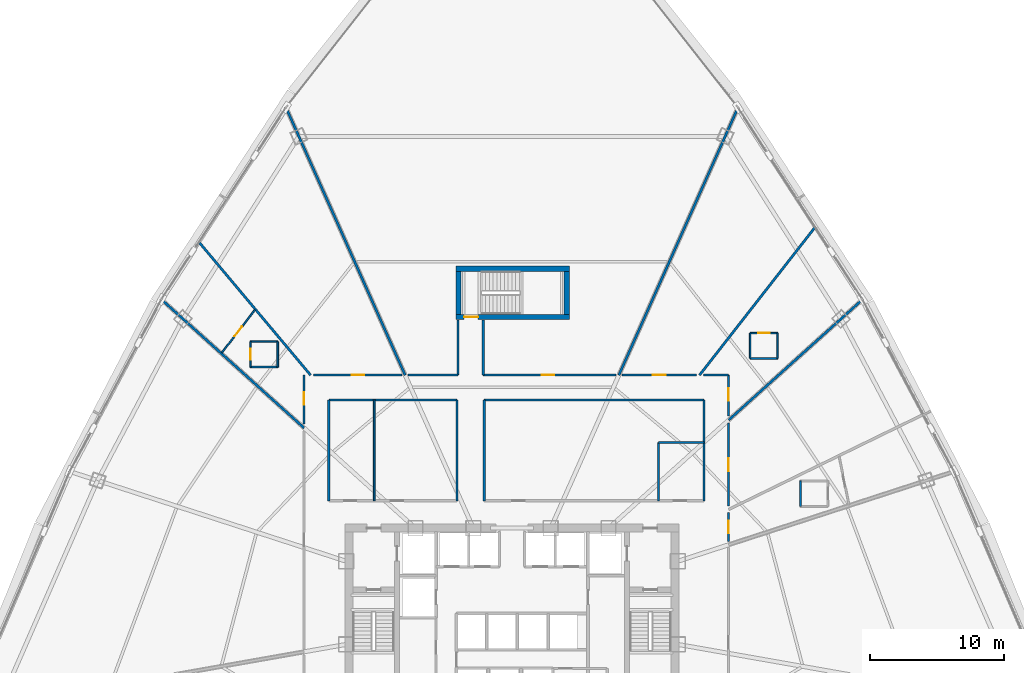
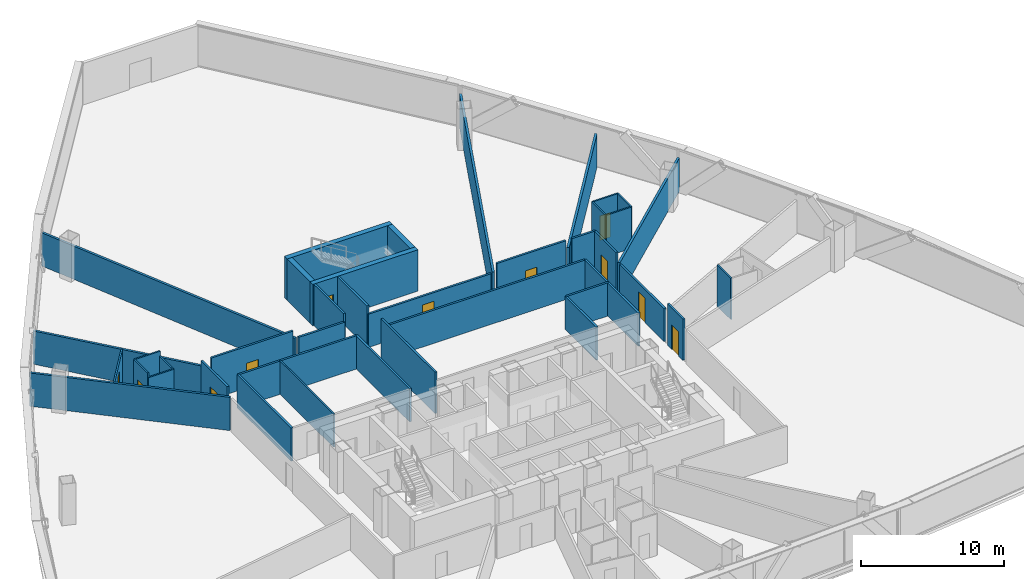
# One storey, part 32 of 38: 40 walls, 11 doors, 11 openings.
"""IFC4 building model written with IfcOpenShell, lengths in metres."""

import ifcopenshell
import ifcopenshell.guid

model = None  # the IFC model being written
_history = None  # IfcOwnerHistory: only IFC2X3 demands one
_inside = {}  # id of a spatial element -> (the spatial element, [elements in it])
_under = {}  # id of a project, library or spatial element -> (it, [spatial elements below it])
_declared = {}  # id of a project -> (the project, [libraries it declares])
_typed = {}  # id of a type object -> (the type object, [elements of that type])
_made_of = {}  # id of a material, layer set ... -> (it, [elements and type objects made of it])


def new_model(schema):
    """Start an empty IFC model of exactly this schema.

    Asked for "IFC4X3", IfcOpenShell would pick the latest addendum, in which some entities
    have other attributes; the version numbers below select the first issue.
    IFC2X3 requires an IfcOwnerHistory on every rooted entity: one is made here for all.
    """
    global model, _history
    if schema == "IFC4X3":
        model = ifcopenshell.file(schema_version=(4, 3, 0, 0))
    else:
        model = ifcopenshell.file(schema=schema)
    _inside.clear()
    _under.clear()
    _declared.clear()
    _typed.clear()
    _made_of.clear()
    _history = None
    if model.schema == "IFC2X3":
        org = make("IfcOrganization", Name="unknown")
        user = make(
            "IfcPersonAndOrganization",
            ThePerson=make("IfcPerson", FamilyName="unknown"),
            TheOrganization=org,
        )
        app = make(
            "IfcApplication",
            ApplicationDeveloper=org,
            Version="unknown",
            ApplicationFullName="unknown",
            ApplicationIdentifier="unknown",
        )
        _history = make(
            "IfcOwnerHistory",
            OwningUser=user,
            OwningApplication=app,
            ChangeAction="ADDED",
            CreationDate=0,
        )
    return model


def make(cls, **values):
    """One entity of the class cls with the attributes given. An attribute that is None is left unset."""
    return model.create_entity(
        cls, **{name: value for name, value in values.items() if value is not None}
    )


def rooted(cls, **values):
    """An entity with a GlobalId (a new one), such as an element, a storey or a relation."""
    return make(cls, GlobalId=ifcopenshell.guid.new(), OwnerHistory=_history, **values)


def si_unit(unit_type, name, prefix=None):
    """IfcSIUnit, for example si_unit("LENGTHUNIT", "METRE", prefix="MILLI")."""
    return make("IfcSIUnit", UnitType=unit_type, Prefix=prefix, Name=name)


def assignment(units):
    """IfcUnitAssignment: the units of a project."""
    return None if units is None else make("IfcUnitAssignment", Units=units)


def point(xyz):
    """IfcCartesianPoint."""
    return None if xyz is None else make("IfcCartesianPoint", Coordinates=xyz)


def direction(xyz):
    """IfcDirection."""
    return None if xyz is None else make("IfcDirection", DirectionRatios=xyz)


def frame(location, z_axis=None, x_axis=None):
    """IfcAxis2Placement3D, a coordinate frame: its origin and axes. An axis left out is left unset."""
    return make(
        "IfcAxis2Placement3D",
        Location=point(location),
        Axis=direction(z_axis),
        RefDirection=direction(x_axis),
    )


def frame_2d(location, x_axis=None):
    """IfcAxis2Placement2D, a coordinate frame in the plane: its origin and x axis."""
    return make(
        "IfcAxis2Placement2D", Location=point(location), RefDirection=direction(x_axis)
    )


def origin():
    """The frame at (0, 0, 0) with its axes left unset."""
    return frame((0.0, 0.0, 0.0))


def origin_with_axes():
    """The frame at (0, 0, 0) with the z axis (0, 0, 1) and the x axis (1, 0, 0) written out."""
    return frame((0.0, 0.0, 0.0), z_axis=(0.0, 0.0, 1.0), x_axis=(1.0, 0.0, 0.0))


def place(relative_to, where):
    """IfcLocalPlacement: puts the frame where relative to a parent placement (None: the world)."""
    return make(
        "IfcLocalPlacement", PlacementRelTo=relative_to, RelativePlacement=where
    )


def context(
    kind, dimensions, precision=None, world=None, true_north=None, identifier=None
):
    """IfcGeometricRepresentationContext, for example the 3D "Model" context."""
    return make(
        "IfcGeometricRepresentationContext",
        ContextIdentifier=identifier,
        ContextType=kind,
        CoordinateSpaceDimension=dimensions,
        Precision=precision,
        WorldCoordinateSystem=world,
        TrueNorth=true_north,
    )


def subcontext(parent, identifier, kind, view, scale=None):
    """IfcGeometricRepresentationSubContext, for example "Body" below "Model"."""
    return make(
        "IfcGeometricRepresentationSubContext",
        ContextIdentifier=identifier,
        ContextType=kind,
        ParentContext=parent,
        TargetScale=scale,
        TargetView=view,
    )


def project(units=None, contexts=None):
    """IfcProject with its units and contexts."""
    return rooted(
        "IfcProject",
        Name="project",
        RepresentationContexts=contexts,
        UnitsInContext=assignment(units),
    )


def spatial(cls, under=None, at=None, **own):
    """A site, building, storey or space (cls), placed at a placement, below another one or the project."""
    s = rooted(cls, ObjectPlacement=at, **own)
    if under is not None:
        _under.setdefault(under.id(), (under, []))[1].append(s)
    return s


def profile(cls, at=None, kind="AREA", **sizes):
    """A parametric profile (cls). Its sizes go by their IFC names, for example OverallWidth=200.0."""
    return make(cls, ProfileType=kind, Position=at, **sizes)


def rectangle(**sizes):
    """IfcRectangleProfileDef."""
    return profile("IfcRectangleProfileDef", **sizes)


def extrude(swept, where, along, depth):
    """IfcExtrudedAreaSolid: the profile swept, set in the frame where, extruded along a direction by depth."""
    return make(
        "IfcExtrudedAreaSolid",
        SweptArea=swept,
        Position=where,
        ExtrudedDirection=direction(along),
        Depth=depth,
    )


def shape(context_of_items, identifier, shape_type, items):
    """IfcShapeRepresentation: the items that make up one representation, for example the "Body"."""
    return make(
        "IfcShapeRepresentation",
        ContextOfItems=context_of_items,
        RepresentationIdentifier=identifier,
        RepresentationType=shape_type,
        Items=items,
    )


def source(mapping_origin, context_of_items, identifier, shape_type, items):
    """IfcRepresentationMap: a shape defined once, which mapped items show again and again."""
    return make(
        "IfcRepresentationMap",
        MappingOrigin=mapping_origin,
        MappedRepresentation=shape(context_of_items, identifier, shape_type, items),
    )


def transform(
    local_origin,
    x_axis=None,
    y_axis=None,
    z_axis=None,
    scale=None,
    scale2=None,
    scale3=None,
    uniform=True,
):
    """IfcCartesianTransformationOperator3D, or its non-uniform kind. x_axis, y_axis, z_axis: its Axis1, 2, 3."""
    if uniform:
        return make(
            "IfcCartesianTransformationOperator3D",
            Axis1=direction(x_axis),
            Axis2=direction(y_axis),
            LocalOrigin=point(local_origin),
            Scale=scale,
            Axis3=direction(z_axis),
        )
    return make(
        "IfcCartesianTransformationOperator3DnonUniform",
        Axis1=direction(x_axis),
        Axis2=direction(y_axis),
        LocalOrigin=point(local_origin),
        Scale=scale,
        Axis3=direction(z_axis),
        Scale2=scale2,
        Scale3=scale3,
    )


def mapped(mapping_source, mapping_target):
    """IfcMappedItem: shows the shape of a source again, moved by a transform."""
    return make(
        "IfcMappedItem", MappingSource=mapping_source, MappingTarget=mapping_target
    )


def material(Name=None, Category=None):
    """IfcMaterial."""
    return make("IfcMaterial", Name=Name, Category=Category)


def layer(
    of_material, thickness, ventilated=None, Name=None, Category=None, Priority=None
):
    """IfcMaterialLayer: one layer of a wall or slab, of a material (None: an air gap)."""
    return make(
        "IfcMaterialLayer",
        Material=of_material,
        LayerThickness=thickness,
        IsVentilated=ventilated,
        Name=Name,
        Category=Category,
        Priority=Priority,
    )


def layer_set(layers, Name=None):
    """IfcMaterialLayerSet."""
    return make("IfcMaterialLayerSet", MaterialLayers=layers, LayerSetName=Name)


def made_of(thing, what):
    """Note that an element or type object is made of a material, layer set ...; save() writes the relation."""
    if what is not None:
        _made_of.setdefault(what.id(), (what, []))[1].append(thing)
    return thing


def type_object(cls, material=None, **own):
    """A type object (cls), such as IfcWallType, which elements share."""
    return made_of(rooted(cls, **own), material)


def element(
    cls,
    number,
    at=None,
    inside=None,
    cuts=None,
    type_object=None,
    material=None,
    context=None,
    identifier="Body",
    shape_type=None,
    held_by="IfcProductDefinitionShape",
    body=None,
    shapes=None,
    **own,
):
    """One element of the class cls, such as IfcWall. Its Tag is "e" and its number.

    at: its placement. inside: the storey or other place that contains it. cuts: it is an
    opening in that element (IfcRelVoidsElement). A single representation is given by context,
    identifier, shape_type and body (its items); several are given by shapes. held_by: the class
    of the entity that holds the representations. save() writes the other relations.
    """
    e = rooted(cls, Tag="e%d" % number, ObjectPlacement=at, **own)
    if body is not None:
        shapes = [shape(context, identifier, shape_type, body)]
    if shapes is not None:
        e.Representation = make(held_by, Representations=shapes)
    if inside is not None:
        _inside.setdefault(inside.id(), (inside, []))[1].append(e)
    if cuts is not None:
        rooted(
            "IfcRelVoidsElement", RelatingBuildingElement=cuts, RelatedOpeningElement=e
        )
    if type_object is not None:
        _typed.setdefault(type_object.id(), (type_object, []))[1].append(e)
    return made_of(e, material)


def fill(opening, filler):
    """IfcRelFillsElement: the door or window that sits in an opening."""
    return rooted(
        "IfcRelFillsElement",
        RelatingOpeningElement=opening,
        RelatedBuildingElement=filler,
    )


def aggregate(whole, parts):
    """IfcRelAggregates: a whole, such as a stair, and the parts it consists of."""
    return rooted("IfcRelAggregates", RelatingObject=whole, RelatedObjects=parts)


def save(model, path):
    """Write the relations noted so far, then the file.

    IfcRelAggregates (storeys below a building ...), IfcRelContainedInSpatialStructure (elements
    in a storey), IfcRelDefinesByType, IfcRelAssociatesMaterial and IfcRelDeclares: one each for
    every whole, place, type object, material and project.
    """
    for whole, parts in _under.values():
        aggregate(whole, parts)
    for where, things in _inside.values():
        rooted(
            "IfcRelContainedInSpatialStructure",
            RelatedElements=things,
            RelatingStructure=where,
        )
    for kind, things in _typed.values():
        rooted("IfcRelDefinesByType", RelatedObjects=things, RelatingType=kind)
    for what, things in _made_of.values():
        rooted("IfcRelAssociatesMaterial", RelatedObjects=things, RelatingMaterial=what)
    for by, libraries in _declared.values():
        rooted("IfcRelDeclares", RelatingContext=by, RelatedDefinitions=libraries)
    model.write(path)


model = new_model("IFC4")

# Units and contexts
model_context = context("Model", 3, precision=1e-05, world=origin(), true_north=direction((0.0, 1.0)))
body_context = subcontext(model_context, "Body", "Model", "MODEL_VIEW")
ifc_project = project(units=[si_unit("LENGTHUNIT", "METRE"), si_unit("AREAUNIT", "SQUARE_METRE"), si_unit("VOLUMEUNIT", "CUBIC_METRE"), si_unit("PLANEANGLEUNIT", "RADIAN"), si_unit("MASSUNIT", "GRAM", prefix="KILO"), si_unit("THERMODYNAMICTEMPERATUREUNIT", "KELVIN"), si_unit("POWERUNIT", "WATT")], contexts=[model_context])

# Site, building, storey
site_placement = place(None, origin())
site = spatial("IfcSite", under=ifc_project, at=site_placement, CompositionType="ELEMENT")
building_placement = place(site_placement, origin())
building = spatial("IfcBuilding", under=site, at=building_placement, Name="Yunzhuo Pagoda Commons", CompositionType="ELEMENT")
storey_placement = place(building_placement, frame((0.0, 0.0, 81.179931640625)))
storey = spatial("IfcBuildingStorey", under=building, at=storey_placement, Name="L20", CompositionType="ELEMENT", Elevation=81.179931640625)

# Walls
ifc_material_1 = material(Name="Gypsum plasterboard on acoustic stud")
ifc_layer_1 = layer(ifc_material_1, 0.159912109375)
ifc_layer_set_1 = layer_set([ifc_layer_1], Name="Gypsum plasterboard on acoustic stud")
wall_type_1 = type_object("IfcWallType", Name="W-COR1 Tower Rated Corridor Wall 160", PredefinedType="PARTITIONING", material=ifc_layer_set_1)
wall_1_placement = place(storey_placement, frame((34.300048828125, 49.800048828125, 0.0), z_axis=(0.0, 0.0, 1.0), x_axis=(1.0, 0.0, 0.0)))
element("IfcWall", 1, at=wall_1_placement, inside=storey, type_object=wall_type_1, Name="L20 interior wall IW-L20-ISLWN", PredefinedType="PARTITIONING", context=body_context, shape_type="SweptSolid", body=[
    extrude(rectangle(XDim=9.579833984375, YDim=0.159912109375, at=frame_2d((4.7900390625, 0.0))), origin(), (0.0, 0.0, 1.0), 2.840087890625),
])
for number, where, z_axis, x_axis, name in (
    (2, (34.300048828125, 42.25, 0.0), (0.0, 0.0, 1.0), (0.0, 1.0, 0.0), "L20 interior wall IW-L20-ISLWW"),
    (3, (43.8798828125, 42.25, 0.0), (0.0, 0.0, 1.0), (0.0, 1.0, 0.0), "L20 interior wall IW-L20-ISLWE"),
):
    element("IfcWall", number, at=place(storey_placement, frame(where, z_axis=z_axis, x_axis=x_axis)), inside=storey, type_object=wall_type_1, Name=name, PredefinedType="PARTITIONING", context=body_context, shape_type="SweptSolid", body=[
        extrude(rectangle(XDim=7.550048828125, YDim=0.159912109375, at=frame_2d((3.77490234375, 0.0))), origin(), (0.0, 0.0, 1.0), 2.840087890625),
    ])
wall_2_placement = place(storey_placement, frame((45.919921875, 49.800048828125, 0.0), z_axis=(0.0, 0.0, 1.0), x_axis=(1.0, 0.0, 0.0)))
element("IfcWall", 4, at=wall_2_placement, inside=storey, type_object=wall_type_1, Name="L20 interior wall IW-L20-ISLEN", PredefinedType="PARTITIONING", context=body_context, shape_type="SweptSolid", body=[
    extrude(rectangle(XDim=16.43017578125, YDim=0.159912109375, at=frame_2d((8.215087890625, 0.0))), origin(), (0.0, 0.0, 1.0), 2.840087890625),
])
wall_3_placement = place(storey_placement, frame((45.919921875, 42.25, 0.0), z_axis=(0.0, 0.0, 1.0), x_axis=(0.0, 1.0, 0.0)))
element("IfcWall", 5, at=wall_3_placement, inside=storey, type_object=wall_type_1, Name="L20 interior wall IW-L20-ISLEW", PredefinedType="PARTITIONING", context=body_context, shape_type="SweptSolid", body=[
    extrude(rectangle(XDim=7.550048828125, YDim=0.159912109375, at=frame_2d((3.77490234375, 0.0))), origin(), (0.0, 0.0, 1.0), 3.5400390625),
])
wall_4_placement = place(storey_placement, frame((62.35009765625, 42.25, 0.0), z_axis=(0.0, 0.0, 1.0), x_axis=(0.0, 1.0, 0.0)))
element("IfcWall", 6, at=wall_4_placement, inside=storey, type_object=wall_type_1, Name="L20 interior wall IW-L20-ISLEE", PredefinedType="PARTITIONING", context=body_context, shape_type="SweptSolid", body=[
    extrude(rectangle(XDim=7.550048828125, YDim=0.159912109375, at=frame_2d((3.77490234375, 0.0))), origin(), (0.0, 0.0, 1.0), 2.840087890625),
])
wall_5_placement = place(storey_placement, frame((58.949951171875, 42.25, 0.0), z_axis=(0.0, 0.0, 1.0), x_axis=(0.0, 1.0, 0.0)))
element("IfcWall", 7, at=wall_5_placement, inside=storey, type_object=wall_type_1, Name="L20 interior wall IW-L20-ISL2W", PredefinedType="PARTITIONING", context=body_context, shape_type="SweptSolid", body=[
    extrude(rectangle(XDim=4.35009765625, YDim=0.159912109375, at=frame_2d((2.175048828125, 0.0))), origin(), (0.0, 0.0, 1.0), 2.840087890625),
])
wall_6_placement = place(storey_placement, frame((58.949951171875, 46.60009765625, 0.0), z_axis=(0.0, 0.0, 1.0), x_axis=(1.0, 0.0, 0.0)))
element("IfcWall", 8, at=wall_6_placement, inside=storey, type_object=wall_type_1, Name="L20 interior wall IW-L20-ISL2N", PredefinedType="PARTITIONING", context=body_context, shape_type="SweptSolid", body=[
    extrude(rectangle(XDim=3.400146484375, YDim=0.159912109375, at=frame_2d((1.7001953125, 0.0))), origin(), (0.0, 0.0, 1.0), 2.840087890625),
])

# Wall, opening, door
wall_7_placement = place(storey_placement, frame((32.449951171875, 47.997314453125, 0.0), z_axis=(0.0, 0.0, 1.0), x_axis=(0.0, 1.0, 0.0)))
wall_7 = element("IfcWall", 9, at=wall_7_placement, inside=storey, type_object=wall_type_1, Name="L20 interior wall IW-L20-CWL03", PredefinedType="PARTITIONING", context=body_context, shape_type="SweptSolid", body=[
    extrude(rectangle(XDim=3.652587890625, YDim=0.159912109375, at=frame_2d((1.826171875, 0.0))), origin(), (0.0, 0.0, 1.0), 3.5400390625),
])
opening_1_placement = place(wall_7_placement, frame((1.433349609375, 0.0, 0.0)))
opening_1 = element("IfcOpeningElement", 10, at=opening_1_placement, cuts=wall_7, Name="Opening D-06", PredefinedType="OPENING", context=body_context, shape_type="SweptSolid", body=[
    extrude(rectangle(XDim=0.949951171875, YDim=2.10009765625, at=frame_2d((0.47509765625, 1.050048828125))), frame((0.0, 0.08984375, 0.0), z_axis=(0.0, -1.0, 0.0), x_axis=(1.0, 0.0, 0.0)), (0.0, 0.0, 1.0), 0.179931640625),
])
ifc_material_2 = material(Name="Galvanized fire-resisting metal leaf")
door_type_1 = type_object("IfcDoorType", Name="D-06 Co-Living Suite Entrance Fire Door 950x2100", OperationType="NOTDEFINED", PredefinedType="DOOR", material=ifc_material_2)
shared_shape_1 = source(origin(), body_context, "Body", "SweptSolid", [
    extrude(rectangle(XDim=0.949951171875, YDim=2.10009765625, at=frame_2d((0.47509765625, 1.050048828125))), frame((0.0, 0.02490234375, 0.0), z_axis=(0.0, -1.0, 0.0), x_axis=(1.0, 0.0, 0.0)), (0.0, 0.0, 1.0), 0.050048828125),
])
door_1_placement = place(opening_1_placement, origin_with_axes())
door_1 = element("IfcDoor", 11, at=door_1_placement, inside=storey, type_object=door_type_1, Name="L20 unit 07 entrance door", OperationType="SINGLE_SWING_LEFT", OverallHeight=2.10009765625, OverallWidth=0.949951171875, PredefinedType="DOOR", context=body_context, shape_type="MappedRepresentation", body=[
    mapped(shared_shape_1, transform((0.0, 0.0, 0.0), scale=1.0)),
])
fill(opening_1, door_1)

wall_8_placement = place(storey_placement, frame((33.158203125, 51.64990234375, 0.0), z_axis=(0.0, 0.0, 1.0), x_axis=(1.0, 0.0, 0.0)))
wall_8 = element("IfcWall", 12, at=wall_8_placement, inside=storey, type_object=wall_type_1, Name="L20 interior wall IW-L20-CWL04", PredefinedType="PARTITIONING", context=body_context, shape_type="SweptSolid", body=[
    extrude(rectangle(XDim=6.609130859375, YDim=0.159912109375, at=frame_2d((3.3046875, 0.0))), origin(), (0.0, 0.0, 1.0), 3.5400390625),
])
opening_2_placement = place(wall_8_placement, frame((2.840087890625, 0.0, 0.0)))
opening_2 = element("IfcOpeningElement", 13, at=opening_2_placement, cuts=wall_8, Name="Opening D-06", PredefinedType="OPENING", context=body_context, shape_type="SweptSolid", body=[
    extrude(rectangle(XDim=0.949951171875, YDim=2.10009765625, at=frame_2d((0.47509765625, 1.050048828125))), frame((0.0, 0.08984375, 0.0), z_axis=(0.0, -1.0, 0.0), x_axis=(1.0, 0.0, 0.0)), (0.0, 0.0, 1.0), 0.179931640625),
])
door_2_placement = place(opening_2_placement, origin_with_axes())
door_2 = element("IfcDoor", 14, at=door_2_placement, inside=storey, type_object=door_type_1, Name="L20 unit 06 entrance door", OperationType="SINGLE_SWING_RIGHT", OverallHeight=2.10009765625, OverallWidth=0.949951171875, PredefinedType="DOOR", context=body_context, shape_type="MappedRepresentation", body=[
    mapped(shared_shape_1, transform((0.0, 0.0, 0.0), scale=1.0)),
])
fill(opening_2, door_2)

# Walls
wall_9_placement = place(storey_placement, frame((40.227783203125, 51.64990234375, 0.0), z_axis=(0.0, 0.0, 1.0), x_axis=(1.0, 0.0, 0.0)))
element("IfcWall", 15, at=wall_9_placement, inside=storey, type_object=wall_type_1, Name="L20 interior wall IW-L20-CWL05", PredefinedType="PARTITIONING", context=body_context, shape_type="SweptSolid", body=[
    extrude(rectangle(XDim=3.72216796875, YDim=0.159912109375, at=frame_2d((1.861083984375, 0.0))), origin(), (0.0, 0.0, 1.0), 2.840087890625),
])
for number, where, z_axis, x_axis, name in (
    (16, (43.949951171875, 51.64990234375, 0.0), (0.0, 0.0, 1.0), (0.0, 1.0, 0.0), "L20 interior wall IW-L20-CWL06"),
    (17, (45.85009765625, 55.780029296875, 0.0), (0.0, 0.0, 1.0), (0.0, -1.0, 0.0), "L20 interior wall IW-L20-CWL07"),
):
    element("IfcWall", number, at=place(storey_placement, frame(where, z_axis=z_axis, x_axis=x_axis)), inside=storey, type_object=wall_type_1, Name=name, PredefinedType="PARTITIONING", context=body_context, shape_type="SweptSolid", body=[
        extrude(rectangle(XDim=4.130126953125, YDim=0.159912109375, at=frame_2d((2.06494140625, 0.0))), origin(), (0.0, 0.0, 1.0), 3.5400390625),
    ])

# Wall, opening, door
wall_10_placement = place(storey_placement, frame((45.85009765625, 51.64990234375, 0.0), z_axis=(0.0, 0.0, 1.0), x_axis=(1.0, 0.0, 0.0)))
wall_10 = element("IfcWall", 18, at=wall_10_placement, inside=storey, type_object=wall_type_1, Name="L20 interior wall IW-L20-CWL08", PredefinedType="PARTITIONING", context=body_context, shape_type="SweptSolid", body=[
    extrude(rectangle(XDim=9.922119140625, YDim=0.159912109375, at=frame_2d((4.9609375, 0.0))), origin(), (0.0, 0.0, 1.0), 2.840087890625),
])
opening_3_placement = place(wall_10_placement, frame((4.365966796875, 0.0, 0.0)))
opening_3 = element("IfcOpeningElement", 19, at=opening_3_placement, cuts=wall_10, Name="Opening D-06", PredefinedType="OPENING", context=body_context, shape_type="SweptSolid", body=[
    extrude(rectangle(XDim=0.949951171875, YDim=2.10009765625, at=frame_2d((0.47509765625, 1.050048828125))), frame((0.0, 0.08984375, 0.0), z_axis=(0.0, -1.0, 0.0), x_axis=(1.0, 0.0, 0.0)), (0.0, 0.0, 1.0), 0.179931640625),
])
door_3_placement = place(opening_3_placement, origin_with_axes())
door_3 = element("IfcDoor", 20, at=door_3_placement, inside=storey, type_object=door_type_1, Name="L20 unit 05 entrance door", OperationType="SINGLE_SWING_LEFT", OverallHeight=2.10009765625, OverallWidth=0.949951171875, PredefinedType="DOOR", context=body_context, shape_type="MappedRepresentation", body=[
    mapped(shared_shape_1, transform((0.0, 0.0, 0.0), scale=1.0)),
])
fill(opening_3, door_3)

wall_11_placement = place(storey_placement, frame((56.232666015625, 51.64990234375, 0.0), z_axis=(0.0, 0.0, 1.0), x_axis=(1.0, 0.0, 0.0)))
wall_11 = element("IfcWall", 21, at=wall_11_placement, inside=storey, type_object=wall_type_1, Name="L20 interior wall IW-L20-CWL09", PredefinedType="PARTITIONING", context=body_context, shape_type="SweptSolid", body=[
    extrude(rectangle(XDim=5.571533203125, YDim=0.159912109375, at=frame_2d((2.78564453125, 0.0))), origin(), (0.0, 0.0, 1.0), 3.5400390625),
])
opening_4_placement = place(wall_11_placement, frame((2.30029296875, 0.0, 0.0)))
opening_4 = element("IfcOpeningElement", 22, at=opening_4_placement, cuts=wall_11, Name="Opening D-06", PredefinedType="OPENING", context=body_context, shape_type="SweptSolid", body=[
    extrude(rectangle(XDim=0.949951171875, YDim=2.10009765625, at=frame_2d((0.47509765625, 1.050048828125))), frame((0.0, 0.08984375, 0.0), z_axis=(0.0, -1.0, 0.0), x_axis=(1.0, 0.0, 0.0)), (0.0, 0.0, 1.0), 0.179931640625),
])
door_4_placement = place(opening_4_placement, origin_with_axes())
door_4 = element("IfcDoor", 23, at=door_4_placement, inside=storey, type_object=door_type_1, Name="L20 unit 04 entrance door", OperationType="SINGLE_SWING_RIGHT", OverallHeight=2.10009765625, OverallWidth=0.949951171875, PredefinedType="DOOR", context=body_context, shape_type="MappedRepresentation", body=[
    mapped(shared_shape_1, transform((0.0, 0.0, 0.0), scale=1.0)),
])
fill(opening_4, door_4)

# Wall
wall_12_placement = place(storey_placement, frame((62.30322265625, 51.64990234375, 0.0), z_axis=(0.0, 0.0, 1.0), x_axis=(1.0, 0.0, 0.0)))
element("IfcWall", 24, at=wall_12_placement, inside=storey, type_object=wall_type_1, Name="L20 interior wall IW-L20-CWL10", PredefinedType="PARTITIONING", context=body_context, shape_type="SweptSolid", body=[
    extrude(rectangle(XDim=1.896728515625, YDim=0.159912109375, at=frame_2d((0.9482421875, 0.0))), origin(), (0.0, 0.0, 1.0), 3.5400390625),
])

# Wall, opening, door
wall_13_placement = place(storey_placement, frame((64.199951171875, 51.64990234375, 0.0), z_axis=(0.0, 0.0, 1.0), x_axis=(0.0, -1.0, 0.0)))
wall_13 = element("IfcWall", 25, at=wall_13_placement, inside=storey, type_object=wall_type_1, Name="L20 interior wall IW-L20-CWL11", PredefinedType="PARTITIONING", context=body_context, shape_type="SweptSolid", body=[
    extrude(rectangle(XDim=3.0673828125, YDim=0.159912109375, at=frame_2d((1.53369140625, 0.0))), origin(), (0.0, 0.0, 1.0), 3.5400390625),
])
opening_5_placement = place(wall_13_placement, frame((0.976806640625, 0.0, 0.0)))
opening_5 = element("IfcOpeningElement", 26, at=opening_5_placement, cuts=wall_13, Name="Opening D-06", PredefinedType="OPENING", context=body_context, shape_type="SweptSolid", body=[
    extrude(rectangle(XDim=0.949951171875, YDim=2.10009765625, at=frame_2d((0.47509765625, 1.050048828125))), frame((0.0, 0.08984375, 0.0), z_axis=(0.0, -1.0, 0.0), x_axis=(1.0, 0.0, 0.0)), (0.0, 0.0, 1.0), 0.179931640625),
])
door_5_placement = place(opening_5_placement, origin_with_axes())
door_5 = element("IfcDoor", 27, at=door_5_placement, inside=storey, type_object=door_type_1, Name="L20 unit 03 entrance door", OperationType="SINGLE_SWING_LEFT", OverallHeight=2.10009765625, OverallWidth=0.949951171875, PredefinedType="DOOR", context=body_context, shape_type="MappedRepresentation", body=[
    mapped(shared_shape_1, transform((0.0, 0.0, 0.0), scale=1.0)),
])
fill(opening_5, door_5)

wall_14_placement = place(storey_placement, frame((64.199951171875, 48.06689453125, 0.0), z_axis=(0.0, 0.0, 1.0), x_axis=(0.0, -1.0, 0.0)))
wall_14 = element("IfcWall", 28, at=wall_14_placement, inside=storey, type_object=wall_type_1, Name="L20 interior wall IW-L20-CWL12", PredefinedType="PARTITIONING", context=body_context, shape_type="SweptSolid", body=[
    extrude(rectangle(XDim=6.220703125, YDim=0.159912109375, at=frame_2d((3.1103515625, 0.0))), origin(), (0.0, 0.0, 1.0), 2.840087890625),
])
opening_6_placement = place(wall_14_placement, frame((2.64794921875, 0.0, 0.0)))
opening_6 = element("IfcOpeningElement", 29, at=opening_6_placement, cuts=wall_14, Name="Opening D-06", PredefinedType="OPENING", context=body_context, shape_type="SweptSolid", body=[
    extrude(rectangle(XDim=0.949951171875, YDim=2.10009765625, at=frame_2d((0.47509765625, 1.050048828125))), frame((0.0, 0.08984375, 0.0), z_axis=(0.0, -1.0, 0.0), x_axis=(1.0, 0.0, 0.0)), (0.0, 0.0, 1.0), 0.179931640625),
])
door_6_placement = place(opening_6_placement, origin_with_axes())
door_6 = element("IfcDoor", 30, at=door_6_placement, inside=storey, type_object=door_type_1, Name="L20 unit 02 entrance door", OperationType="SINGLE_SWING_RIGHT", OverallHeight=2.10009765625, OverallWidth=0.949951171875, PredefinedType="DOOR", context=body_context, shape_type="MappedRepresentation", body=[
    mapped(shared_shape_1, transform((0.0, 0.0, 0.0), scale=1.0)),
])
fill(opening_6, door_6)

wall_15_placement = place(storey_placement, frame((64.199951171875, 41.381591796875, 0.0), z_axis=(0.0, 0.0, 1.0), x_axis=(0.0, -1.0, 0.0)))
wall_15 = element("IfcWall", 31, at=wall_15_placement, inside=storey, type_object=wall_type_1, Name="L20 interior wall IW-L20-CWL13", PredefinedType="PARTITIONING", context=body_context, shape_type="SweptSolid", body=[
    extrude(rectangle(XDim=2.1865234375, YDim=0.159912109375, at=frame_2d((1.09326171875, 0.0))), origin(), (0.0, 0.0, 1.0), 3.5400390625),
])
opening_7_placement = place(wall_15_placement, frame((0.6240234375, 0.0, 0.0)))
opening_7 = element("IfcOpeningElement", 32, at=opening_7_placement, cuts=wall_15, Name="Opening D-06", PredefinedType="OPENING", context=body_context, shape_type="SweptSolid", body=[
    extrude(rectangle(XDim=0.949951171875, YDim=2.10009765625, at=frame_2d((0.47509765625, 1.050048828125))), frame((0.0, 0.08984375, 0.0), z_axis=(0.0, -1.0, 0.0), x_axis=(1.0, 0.0, 0.0)), (0.0, 0.0, 1.0), 0.179931640625),
])
door_7_placement = place(opening_7_placement, origin_with_axes())
door_7 = element("IfcDoor", 33, at=door_7_placement, inside=storey, type_object=door_type_1, Name="L20 unit 01 entrance door", OperationType="SINGLE_SWING_LEFT", OverallHeight=2.10009765625, OverallWidth=0.949951171875, PredefinedType="DOOR", context=body_context, shape_type="MappedRepresentation", body=[
    mapped(shared_shape_1, transform((0.0, 0.0, 0.0), scale=1.0)),
])
fill(opening_7, door_7)

# Walls
ifc_layer_2 = layer(ifc_material_1, 0.1201171875)
ifc_layer_set_2 = layer_set([ifc_layer_2], Name="Gypsum plasterboard on acoustic stud")
wall_type_2 = type_object("IfcWallType", Name="W-PRT1 Suite & Bathroom Partition 120", PredefinedType="PARTITIONING", material=ifc_layer_set_2)
wall_16_placement = place(storey_placement, frame((37.699951171875, 42.25, 0.0), z_axis=(0.0, 0.0, 1.0), x_axis=(0.0, 1.0, 0.0)))
element("IfcWall", 34, at=wall_16_placement, inside=storey, type_object=wall_type_2, Name="L20 interior wall IW-L20-ISLW1", PredefinedType="PARTITIONING", context=body_context, shape_type="SweptSolid", body=[
    extrude(rectangle(XDim=7.550048828125, YDim=0.1201171875, at=frame_2d((3.77490234375, 0.0))), origin(), (0.0, 0.0, 1.0), 2.840087890625),
])
wall_17_placement = place(storey_placement, frame((69.571044921875, 43.73388671875, 0.0), z_axis=(0.0, 0.0, 1.0), x_axis=(0.0, -1.0, 0.0)))
element("IfcWall", 35, at=wall_17_placement, inside=storey, type_object=wall_type_2, Name="L20 interior wall IW-L20-B01W", PredefinedType="PARTITIONING", context=body_context, shape_type="SweptSolid", body=[
    extrude(rectangle(XDim=1.89990234375, YDim=0.1201171875, at=frame_2d((0.949951171875, 0.0))), origin(), (0.0, 0.0, 1.0), 3.5400390625),
])
wall_18_placement = place(storey_placement, frame((65.80908203125, 52.89208984375, 0.0), z_axis=(0.0, 0.0, 1.0), x_axis=(1.0, 0.0, 0.0)))
element("IfcWall", 36, at=wall_18_placement, inside=storey, type_object=wall_type_2, Name="L20 interior wall IW-L20-B03S", PredefinedType="PARTITIONING", context=body_context, shape_type="SweptSolid", body=[
    extrude(rectangle(XDim=2.0498046875, YDim=0.1201171875, at=frame_2d((1.02490234375, 0.0))), origin(), (0.0, 0.0, 1.0), 3.5400390625),
])
wall_19_placement = place(storey_placement, frame((67.85888671875, 52.89208984375, 0.0), z_axis=(0.0, 0.0, 1.0), x_axis=(0.0, 1.0, 0.0)))
element("IfcWall", 37, at=wall_19_placement, inside=storey, type_object=wall_type_2, Name="L20 interior wall IW-L20-B03E", PredefinedType="PARTITIONING", context=body_context, shape_type="SweptSolid", body=[
    extrude(rectangle(XDim=1.89990234375, YDim=0.1201171875, at=frame_2d((0.949951171875, 0.0))), origin(), (0.0, 0.0, 1.0), 3.5400390625),
])

# Wall, opening, door
wall_20_placement = place(storey_placement, frame((67.85888671875, 54.7919921875, 0.0), z_axis=(0.0, 0.0, 1.0), x_axis=(-1.0, 0.0, 0.0)))
wall_20 = element("IfcWall", 38, at=wall_20_placement, inside=storey, type_object=wall_type_2, Name="L20 interior wall IW-L20-B03N", PredefinedType="PARTITIONING", context=body_context, shape_type="SweptSolid", body=[
    extrude(rectangle(XDim=2.0498046875, YDim=0.1201171875, at=frame_2d((1.02490234375, 0.0))), origin(), (0.0, 0.0, 1.0), 3.5400390625),
])
opening_8_placement = place(wall_20_placement, frame((0.60009765625, 0.0, 0.0)))
opening_8 = element("IfcOpeningElement", 39, at=opening_8_placement, cuts=wall_20, Name="Opening D-05", PredefinedType="OPENING", context=body_context, shape_type="SweptSolid", body=[
    extrude(rectangle(XDim=0.85009765625, YDim=2.10009765625, at=frame_2d((0.425048828125, 1.050048828125))), frame((0.0, 0.070068359375, 0.0), z_axis=(0.0, -1.0, 0.0), x_axis=(1.0, 0.0, 0.0)), (0.0, 0.0, 1.0), 0.14013671875),
])
ifc_material_3 = material(Name="Powder-coated aluminium and timber acoustic leaf", Category="wood")
door_type_2 = type_object("IfcDoorType", Name="D-05 En-Suite Bathroom Door 850x2100", OperationType="NOTDEFINED", PredefinedType="DOOR", material=ifc_material_3)
shared_shape_2 = source(origin(), body_context, "Body", "SweptSolid", [
    extrude(rectangle(XDim=0.85009765625, YDim=2.10009765625, at=frame_2d((0.425048828125, 1.050048828125))), frame((0.0, 0.02490234375, 0.0), z_axis=(0.0, -1.0, 0.0), x_axis=(1.0, 0.0, 0.0)), (0.0, 0.0, 1.0), 0.050048828125),
])
door_8_placement = place(opening_8_placement, frame((0.85009765625, 0.0, 0.0), z_axis=(0.0, 0.0, 1.0), x_axis=(-1.0, 0.0, 0.0)))
door_8 = element("IfcDoor", 40, at=door_8_placement, inside=storey, type_object=door_type_2, Name="L20 unit 03 bathroom door", OperationType="SINGLE_SWING_LEFT", OverallHeight=2.10009765625, OverallWidth=0.85009765625, PredefinedType="DOOR", context=body_context, shape_type="MappedRepresentation", body=[
    mapped(shared_shape_2, transform((0.0, 0.0, 0.0), scale=1.0)),
])
fill(opening_8, door_8)

# Walls
wall_21_placement = place(storey_placement, frame((65.80908203125, 54.7919921875, 0.0), z_axis=(0.0, 0.0, 1.0), x_axis=(0.0, -1.0, 0.0)))
element("IfcWall", 41, at=wall_21_placement, inside=storey, type_object=wall_type_2, Name="L20 interior wall IW-L20-B03W", PredefinedType="PARTITIONING", context=body_context, shape_type="SweptSolid", body=[
    extrude(rectangle(XDim=1.89990234375, YDim=0.1201171875, at=frame_2d((0.949951171875, 0.0))), origin(), (0.0, 0.0, 1.0), 3.5400390625),
])
wall_22_placement = place(storey_placement, frame((28.43408203125, 52.2548828125, 0.0), z_axis=(0.0, 0.0, 1.0), x_axis=(1.0, 0.0, 0.0)))
element("IfcWall", 42, at=wall_22_placement, inside=storey, type_object=wall_type_2, Name="L20 interior wall IW-L20-B07S", PredefinedType="PARTITIONING", context=body_context, shape_type="SweptSolid", body=[
    extrude(rectangle(XDim=2.0498046875, YDim=0.1201171875, at=frame_2d((1.02490234375, 0.0))), origin(), (0.0, 0.0, 1.0), 3.14013671875),
])
wall_23_placement = place(storey_placement, frame((30.48388671875, 52.2548828125, 0.0), z_axis=(0.0, 0.0, 1.0), x_axis=(0.0, 1.0, 0.0)))
element("IfcWall", 43, at=wall_23_placement, inside=storey, type_object=wall_type_2, Name="L20 interior wall IW-L20-B07E", PredefinedType="PARTITIONING", context=body_context, shape_type="SweptSolid", body=[
    extrude(rectangle(XDim=1.900146484375, YDim=0.1201171875, at=frame_2d((0.9501953125, 0.0))), origin(), (0.0, 0.0, 1.0), 3.14013671875),
])
wall_24_placement = place(storey_placement, frame((30.48388671875, 54.155029296875, 0.0), z_axis=(0.0, 0.0, 1.0), x_axis=(-1.0, 0.0, 0.0)))
element("IfcWall", 44, at=wall_24_placement, inside=storey, type_object=wall_type_2, Name="L20 interior wall IW-L20-B07N", PredefinedType="PARTITIONING", context=body_context, shape_type="SweptSolid", body=[
    extrude(rectangle(XDim=2.0498046875, YDim=0.1201171875, at=frame_2d((1.02490234375, 0.0))), origin(), (0.0, 0.0, 1.0), 3.5400390625),
])

# Wall, opening, door
wall_25_placement = place(storey_placement, frame((28.43408203125, 54.155029296875, 0.0), z_axis=(0.0, 0.0, 1.0), x_axis=(0.0, -1.0, 0.0)))
wall_25 = element("IfcWall", 45, at=wall_25_placement, inside=storey, type_object=wall_type_2, Name="L20 interior wall IW-L20-B07W", PredefinedType="PARTITIONING", context=body_context, shape_type="SweptSolid", body=[
    extrude(rectangle(XDim=1.900146484375, YDim=0.1201171875, at=frame_2d((0.9501953125, 0.0))), origin(), (0.0, 0.0, 1.0), 3.5400390625),
])
opening_9_placement = place(wall_25_placement, frame((0.52490234375, 0.0, 0.0)))
opening_9 = element("IfcOpeningElement", 46, at=opening_9_placement, cuts=wall_25, Name="Opening D-05", PredefinedType="OPENING", context=body_context, shape_type="SweptSolid", body=[
    extrude(rectangle(XDim=0.85009765625, YDim=2.10009765625, at=frame_2d((0.425048828125, 1.050048828125))), frame((0.0, 0.070068359375, 0.0), z_axis=(0.0, -1.0, 0.0), x_axis=(1.0, 0.0, 0.0)), (0.0, 0.0, 1.0), 0.14013671875),
])
door_9_placement = place(opening_9_placement, frame((0.85009765625, 0.0, 0.0), z_axis=(0.0, 0.0, 1.0), x_axis=(-1.0, 0.0, 0.0)))
door_9 = element("IfcDoor", 47, at=door_9_placement, inside=storey, type_object=door_type_2, Name="L20 unit 07 bathroom door", OperationType="SINGLE_SWING_LEFT", OverallHeight=2.10009765625, OverallWidth=0.85009765625, PredefinedType="DOOR", context=body_context, shape_type="MappedRepresentation", body=[
    mapped(shared_shape_2, transform((0.0, 0.0, 0.0), scale=1.0)),
])
fill(opening_9, door_9)

wall_26_placement = place(storey_placement, frame((28.772216796875, 56.521484375, 0.0), z_axis=(0.0, 0.0, 1.0), x_axis=(-0.611610665825, -0.791158892669, 0.0)))
wall_26 = element("IfcWall", 48, at=wall_26_placement, inside=storey, type_object=wall_type_2, Name="L20 interior wall IW-L20-CLB07", PredefinedType="PARTITIONING", context=body_context, shape_type="SweptSolid", body=[
    extrude(rectangle(XDim=4.045166015625, YDim=0.1201171875, at=frame_2d((2.0224609375, 0.0))), origin(), (0.0, 0.0, 1.0), 2.840087890625),
])
opening_10_placement = place(wall_26_placement, frame((1.5625, 0.0, 0.0)))
opening_10 = element("IfcOpeningElement", 49, at=opening_10_placement, cuts=wall_26, Name="Opening D-04", PredefinedType="OPENING", context=body_context, shape_type="SweptSolid", body=[
    extrude(rectangle(XDim=0.919921875, YDim=2.10009765625, at=frame_2d((0.4599609375, 1.050048828125))), frame((0.0, 0.070068359375, 0.0), z_axis=(0.0, -1.0, 0.0), x_axis=(1.0, 0.0, 0.0)), (0.0, 0.0, 1.0), 0.14013671875),
])
door_type_3 = type_object("IfcDoorType", Name="D-04 Bedroom & Study Interior Door 920x2100", OperationType="NOTDEFINED", PredefinedType="DOOR", material=ifc_material_3)
shared_shape_3 = source(origin(), body_context, "Body", "SweptSolid", [
    extrude(rectangle(XDim=0.919921875, YDim=2.10009765625, at=frame_2d((0.4599609375, 1.050048828125))), frame((0.0, 0.02490234375, 0.0), z_axis=(0.0, -1.0, 0.0), x_axis=(1.0, 0.0, 0.0)), (0.0, 0.0, 1.0), 0.050048828125),
])
door_10_placement = place(opening_10_placement, origin_with_axes())
door_10 = element("IfcDoor", 50, at=door_10_placement, inside=storey, type_object=door_type_3, Name="L20 suite 07 bedroom door", OperationType="SINGLE_SWING_LEFT", OverallHeight=2.10009765625, OverallWidth=0.919921875, PredefinedType="DOOR", context=body_context, shape_type="MappedRepresentation", body=[
    mapped(shared_shape_3, transform((0.0, 0.0, 0.0), scale=1.0)),
])
fill(opening_10, door_10)

# Walls
ifc_layer_3 = layer(ifc_material_1, 0.179931640625)
ifc_layer_set_3 = layer_set([ifc_layer_3], Name="Gypsum plasterboard on acoustic stud")
wall_type_3 = type_object("IfcWallType", Name="W-PRT2 Acoustic Unit Demising Wall 180", PredefinedType="PARTITIONING", material=ifc_layer_set_3)
wall_27_placement = place(storey_placement, frame((64.199951171875, 48.28662109375, 0.0), z_axis=(0.0, 0.0, 1.0), x_axis=(0.743149168899, 0.669125782469, 0.0)))
element("IfcWall", 51, at=wall_27_placement, inside=storey, type_object=wall_type_3, Name="L20 interior wall IW-L20-RAD03", PredefinedType="PARTITIONING", context=body_context, shape_type="SweptSolid", body=[
    extrude(rectangle(XDim=13.48291015625, YDim=0.179931640625, at=frame_2d((6.741455078125, 0.0))), origin(), (0.0, 0.0, 1.0), 2.840087890625),
])
wall_28_placement = place(storey_placement, frame((62.024169921875, 51.64990234375, 0.0), z_axis=(0.0, 0.0, 1.0), x_axis=(0.615647406864, 0.788021744891, 0.0)))
element("IfcWall", 52, at=wall_28_placement, inside=storey, type_object=wall_type_3, Name="L20 interior wall IW-L20-RAD04", PredefinedType="PARTITIONING", context=body_context, shape_type="SweptSolid", body=[
    extrude(rectangle(XDim=14.079833984375, YDim=0.179931640625, at=frame_2d((7.0400390625, 0.0))), origin(), (0.0, 0.0, 1.0), 2.840087890625),
])
for number, where, z_axis, x_axis, name in (
    (53, (55.991943359375, 51.64990234375, 0.0), (0.0, 0.0, 1.0), (0.406733854264, 0.913546699296, 0.0), "L20 interior wall IW-L20-RAD05"),
    (54, (40.008056640625, 51.64990234375, 0.0), (0.0, 0.0, 1.0), (-0.406733854264, 0.913546699296, 0.0), "L20 interior wall IW-L20-RAD06"),
):
    element("IfcWall", number, at=place(storey_placement, frame(where, z_axis=z_axis, x_axis=x_axis)), inside=storey, type_object=wall_type_3, Name=name, PredefinedType="PARTITIONING", context=body_context, shape_type="SweptSolid", body=[
        extrude(rectangle(XDim=21.911376953125, YDim=0.179931640625, at=frame_2d((10.95556640625, 0.0))), origin(), (0.0, 0.0, 1.0), 2.840087890625),
    ])
wall_29_placement = place(storey_placement, frame((32.938232421875, 51.64990234375, 0.0), z_axis=(0.0, 0.0, 1.0), x_axis=(-0.642792408097, 0.766040416749, 0.0)))
element("IfcWall", 55, at=wall_29_placement, inside=storey, type_object=wall_type_3, Name="L20 interior wall IW-L20-RAD07", PredefinedType="PARTITIONING", context=body_context, shape_type="SweptSolid", body=[
    extrude(rectangle(XDim=13.010498046875, YDim=0.179931640625, at=frame_2d((6.50537109375, 0.0))), origin(), (0.0, 0.0, 1.0), 2.840087890625),
])
wall_30_placement = place(storey_placement, frame((32.449951171875, 47.701416015625, 0.0), z_axis=(0.0, 0.0, 1.0), x_axis=(-0.743147852162, 0.66912724487, 0.0)))
element("IfcWall", 56, at=wall_30_placement, inside=storey, type_object=wall_type_3, Name="L20 interior wall IW-L20-RAD08", PredefinedType="PARTITIONING", context=body_context, shape_type="SweptSolid", body=[
    extrude(rectangle(XDim=14.357421875, YDim=0.179931640625, at=frame_2d((7.1787109375, 0.0))), origin(), (0.0, 0.0, 1.0), 2.840087890625),
])
ifc_material_4 = material(Name="Concrete C60", Category="concrete")
ifc_layer_4 = layer(ifc_material_4, 0.39990234375)
ifc_layer_set_4 = layer_set([ifc_layer_4], Name="Concrete C60")
wall_type_4 = type_object("IfcWallType", Name="W-S01 Internal Core Shear Web 400", PredefinedType="SHEAR", material=ifc_layer_set_4)
wall_31_placement = place(storey_placement, frame((43.800048828125, 59.60009765625, 0.0), z_axis=(0.0, 0.0, 1.0), x_axis=(1.0, 0.0, 0.0)))
element("IfcWall", 57, at=wall_31_placement, inside=storey, type_object=wall_type_4, Name="L20 ST3 structural stair wall N", PredefinedType="SHEAR", context=body_context, shape_type="SweptSolid", body=[
    extrude(rectangle(XDim=8.5, YDim=0.39990234375, at=frame_2d((4.25, 0.0))), origin(), (0.0, 0.0, 1.0), 3.5400390625),
])

# Wall, opening, door
wall_32_placement = place(storey_placement, frame((43.800048828125, 56.0, 0.0), z_axis=(0.0, 0.0, 1.0), x_axis=(1.0, 0.0, 0.0)))
wall_32 = element("IfcWall", 58, at=wall_32_placement, inside=storey, type_object=wall_type_4, Name="L20 ST3 structural stair wall S", PredefinedType="SHEAR", context=body_context, shape_type="SweptSolid", body=[
    extrude(rectangle(XDim=8.5, YDim=0.39990234375, at=frame_2d((4.25, 0.0))), origin(), (0.0, 0.0, 1.0), 3.5400390625),
])
opening_11_placement = place(wall_32_placement, frame((0.6201171875, 0.0, 0.0)))
opening_11 = element("IfcOpeningElement", 59, at=opening_11_placement, cuts=wall_32, Name="Opening D-01", PredefinedType="OPENING", context=body_context, shape_type="SweptSolid", body=[
    extrude(rectangle(XDim=1.050048828125, YDim=2.10009765625, at=frame_2d((0.52490234375, 1.050048828125))), frame((0.0, 0.2099609375, 0.0), z_axis=(0.0, -1.0, 0.0), x_axis=(1.0, 0.0, 0.0)), (0.0, 0.0, 1.0), 0.419921875),
])
door_type_4 = type_object("IfcDoorType", Name="D-01 Smokeproof Stair Fire Door 1050x2100", OperationType="NOTDEFINED", PredefinedType="DOOR", material=ifc_material_2)
shared_shape_4 = source(origin(), body_context, "Body", "SweptSolid", [
    extrude(rectangle(XDim=1.050048828125, YDim=2.10009765625, at=frame_2d((0.52490234375, 1.050048828125))), frame((0.0, 0.02490234375, 0.0), z_axis=(0.0, -1.0, 0.0), x_axis=(1.0, 0.0, 0.0)), (0.0, 0.0, 1.0), 0.050048828125),
])
door_11_placement = place(opening_11_placement, frame((1.050048828125, 0.0, 0.0), z_axis=(0.0, 0.0, 1.0), x_axis=(-1.0, 0.0, 0.0)))
door_11 = element("IfcDoor", 60, at=door_11_placement, inside=storey, type_object=door_type_4, Name="L20 Stair ST3 fire door", OperationType="SINGLE_SWING_LEFT", OverallHeight=2.10009765625, OverallWidth=1.050048828125, PredefinedType="DOOR", context=body_context, shape_type="MappedRepresentation", body=[
    mapped(shared_shape_4, transform((0.0, 0.0, 0.0), scale=1.0)),
])
fill(opening_11, door_11)

# Walls
for number, where, z_axis, x_axis, name in (
    (61, (44.0, 56.199951171875, 0.0), (0.0, 0.0, 1.0), (0.0, 1.0, 0.0), "L20 ST3 structural stair wall W"),
    (62, (52.10009765625, 56.199951171875, 0.0), (0.0, 0.0, 1.0), (0.0, 1.0, 0.0), "L20 ST3 structural stair wall E"),
):
    element("IfcWall", number, at=place(storey_placement, frame(where, z_axis=z_axis, x_axis=x_axis)), inside=storey, type_object=wall_type_4, Name=name, PredefinedType="SHEAR", context=body_context, shape_type="SweptSolid", body=[
        extrude(rectangle(XDim=3.199951171875, YDim=0.39990234375, at=frame_2d((1.60009765625, 0.0))), origin(), (0.0, 0.0, 1.0), 3.5400390625),
    ])

save(model, "model.ifc")
